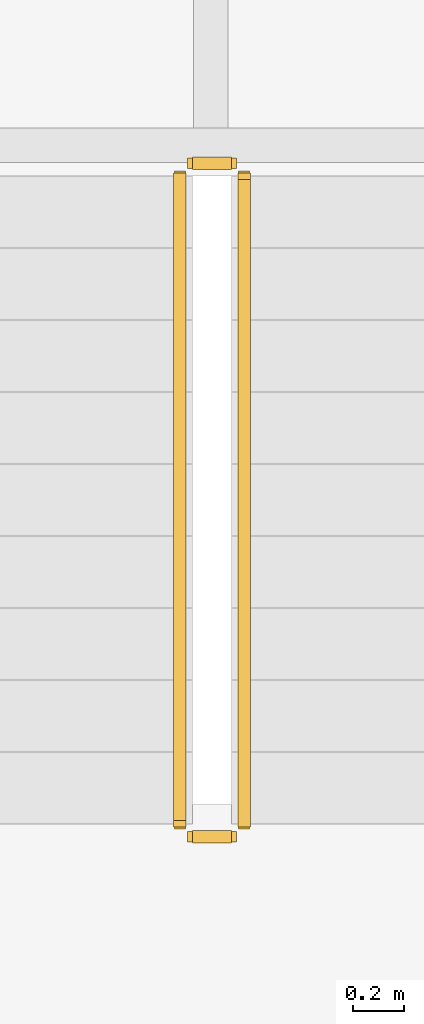
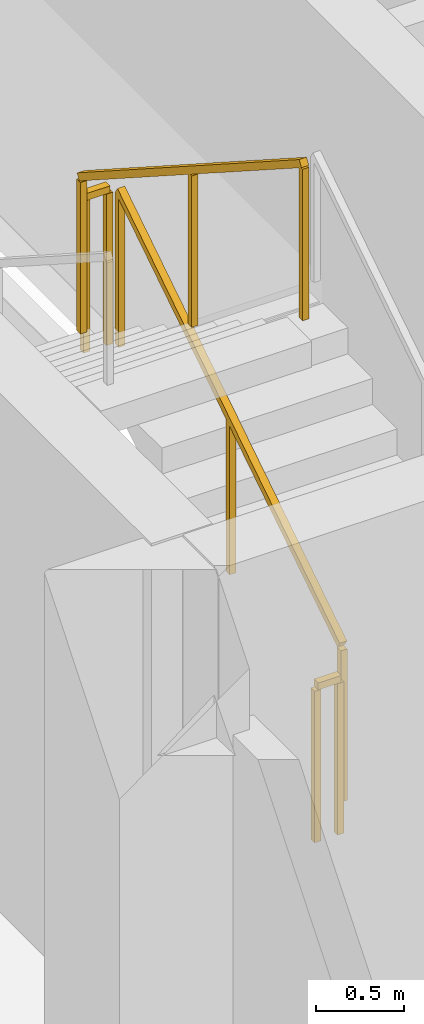
# One storey, part 25 of 28: 4 railings.
"""IFC4 building model written with IfcOpenShell, lengths in metres."""

from ifc_helpers import new_model, si_unit, direction, frame, origin, origin_2d, place, context, subcontext, project, spatial, rectangle, extrude, material, type_object, element, save


model = new_model("IFC4")

# Units and contexts
model_context = context("Model", 3, precision=1e-05, world=origin(), true_north=direction((0.0, 1.0)))
body_context = subcontext(model_context, "Body", "Model", "MODEL_VIEW")
ifc_project = project(units=[si_unit("LENGTHUNIT", "METRE"), si_unit("AREAUNIT", "SQUARE_METRE"), si_unit("VOLUMEUNIT", "CUBIC_METRE"), si_unit("PLANEANGLEUNIT", "RADIAN"), si_unit("MASSUNIT", "GRAM", prefix="KILO")], contexts=[model_context])

# Site, building, storey
site_placement = place(None, origin())
site = spatial("IfcSite", under=ifc_project, at=site_placement, CompositionType="ELEMENT")
building_placement = place(site_placement, origin())
building = spatial("IfcBuilding", under=site, at=building_placement, Name="Varnakorn Sky Granary", CompositionType="ELEMENT")
storey_placement = place(building_placement, frame((0.0, 0.0, 186.0)))
storey = spatial("IfcBuildingStorey", under=building, at=storey_placement, Name="L46", CompositionType="ELEMENT", Elevation=186.0)

# Railings
ifc_material = material(Name="Brushed Stainless Steel 316", Category="steel")
railing_type = type_object("IfcRailingType", Name="RL-STAIR-1100", PredefinedType="GUARDRAIL", material=ifc_material)
railing_1_placement = place(storey_placement, frame((-0.090087890625, 5.199951171875, 0.179931640625)))
element("IfcRailing", 1, at=railing_1_placement, inside=storey, type_object=railing_type, Name="L46 ST-1 stair guard 1", PredefinedType="GUARDRAIL", context=body_context, shape_type="SweptSolid", body=[
    extrude(rectangle(XDim=0.048095703125, YDim=0.048095703125, at=origin_2d()), frame((0.0, 0.0, 1.076171875), z_axis=(0.0, 0.841162588446, 0.540782303519), x_axis=(-1.0, 0.0, 0.0)), (0.0, 0.0, 1.0), 2.995849609375),
    extrude(rectangle(XDim=0.0419921875, YDim=0.0419921875, at=origin_2d()), origin(), (0.0, 0.0, 1.0), 1.048095703125),
    extrude(rectangle(XDim=0.0419921875, YDim=0.0419921875, at=origin_2d()), frame((0.0, 1.260009765625, 0.81005859375)), (0.0, 0.0, 1.0), 1.048095703125),
    extrude(rectangle(XDim=0.0419921875, YDim=0.0419921875, at=origin_2d()), frame((0.0, 2.52001953125, 1.6201171875)), (0.0, 0.0, 1.0), 1.048095703125),
])
railing_2_placement = place(storey_placement, frame((-0.139892578125, 7.77001953125, 1.800048828125)))
element("IfcRailing", 2, at=railing_2_placement, inside=storey, type_object=railing_type, Name="L46 ST-1 stair guard 2", PredefinedType="GUARDRAIL", context=body_context, shape_type="SweptSolid", body=[
    extrude(rectangle(XDim=0.048095703125, YDim=0.048095703125, at=origin_2d()), frame((0.0, 0.0, 1.076171875), z_axis=(-1.0, 0.0, 0.0), x_axis=(0.0, -1.0, 0.0)), (0.0, 0.0, 1.0), 0.150146484375),
    extrude(rectangle(XDim=0.0419921875, YDim=0.0419921875, at=origin_2d()), origin(), (0.0, 0.0, 1.0), 1.048095703125),
    extrude(rectangle(XDim=0.0419921875, YDim=0.0419921875, at=origin_2d()), frame((-0.150146484375, 0.0, 0.0)), (0.0, 0.0, 1.0), 1.048095703125),
])
railing_3_placement = place(storey_placement, frame((-0.340087890625, 7.719970703125, 1.97998046875)))
element("IfcRailing", 3, at=railing_3_placement, inside=storey, type_object=railing_type, Name="L46 ST-1 stair guard 3", PredefinedType="GUARDRAIL", context=body_context, shape_type="SweptSolid", body=[
    extrude(rectangle(XDim=0.048095703125, YDim=0.048095703125, at=origin_2d()), frame((0.0, 0.0, 1.076171875), z_axis=(0.0, -0.841162588446, 0.540782303519), x_axis=(1.0, 0.0, 0.0)), (0.0, 0.0, 1.0), 2.995849609375),
    extrude(rectangle(XDim=0.0419921875, YDim=0.0419921875, at=origin_2d()), origin(), (0.0, 0.0, 1.0), 1.048095703125),
    extrude(rectangle(XDim=0.0419921875, YDim=0.0419921875, at=origin_2d()), frame((0.0, -1.260009765625, 0.81005859375)), (0.0, 0.0, 1.0), 1.048095703125),
    extrude(rectangle(XDim=0.0419921875, YDim=0.0419921875, at=origin_2d()), frame((0.0, -2.52001953125, 1.6201171875)), (0.0, 0.0, 1.0), 1.048095703125),
])
railing_4_placement = place(storey_placement, frame((-0.139892578125, 5.14990234375, 0.0)))
element("IfcRailing", 4, at=railing_4_placement, inside=storey, type_object=railing_type, Name="L46 ST-1 stair guard 4", PredefinedType="GUARDRAIL", context=body_context, shape_type="SweptSolid", body=[
    extrude(rectangle(XDim=0.048095703125, YDim=0.048095703125, at=origin_2d()), frame((0.0, 0.0, 1.076171875), z_axis=(-1.0, 0.0, 0.0), x_axis=(0.0, -1.0, 0.0)), (0.0, 0.0, 1.0), 0.150146484375),
    extrude(rectangle(XDim=0.0419921875, YDim=0.0419921875, at=origin_2d()), origin(), (0.0, 0.0, 1.0), 1.048095703125),
    extrude(rectangle(XDim=0.0419921875, YDim=0.0419921875, at=origin_2d()), frame((-0.150146484375, 0.0, 0.0)), (0.0, 0.0, 1.0), 1.048095703125),
])

save(model, "model.ifc")
